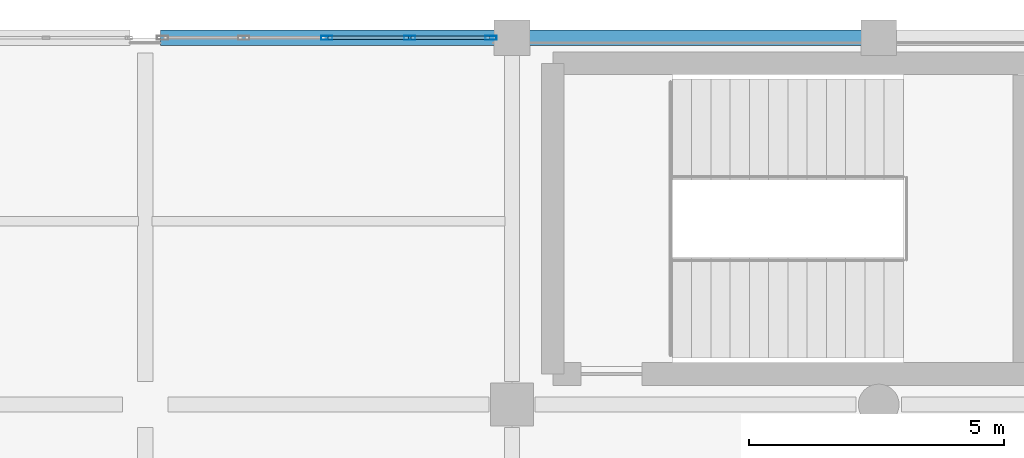
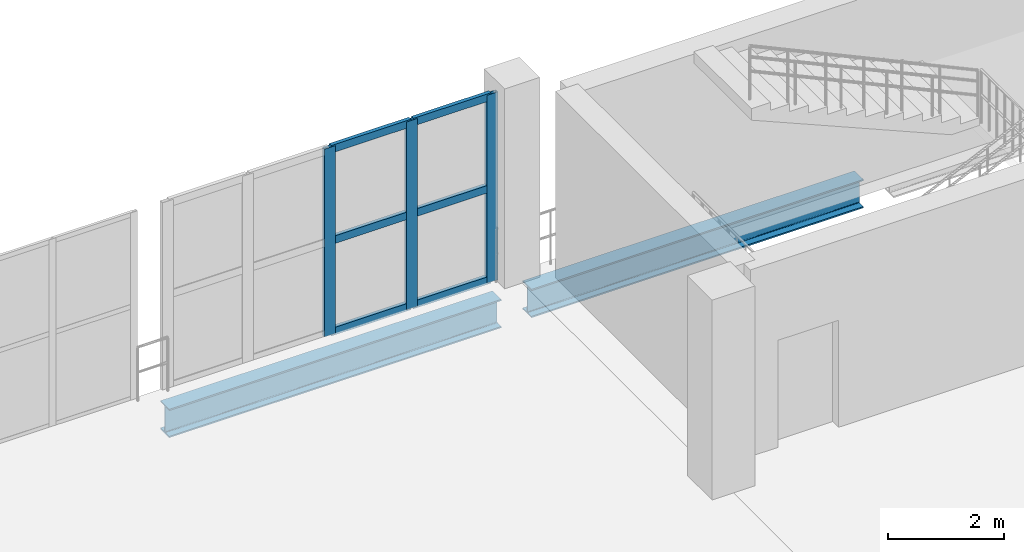
# One storey, part 111 of 153: 9 members, 2 beams, 1 element without a shape of its own.
"""IFC4 building model written with IfcOpenShell, lengths in metres."""

from ifc_helpers import new_model, si_unit, direction, frame, origin, origin_2d, place, context, subcontext, project, spatial, hollow_rectangle, i_section, extrude, material, material_profile, profile_set, type_object, element, aggregate, save


model = new_model("IFC4")

# Units and contexts
model_context = context("Model", 3, precision=1e-05, world=origin(), true_north=direction((0.0, 1.0)))
body_context = subcontext(model_context, "Body", "Model", "MODEL_VIEW")
ifc_project = project(units=[si_unit("LENGTHUNIT", "METRE"), si_unit("AREAUNIT", "SQUARE_METRE"), si_unit("VOLUMEUNIT", "CUBIC_METRE"), si_unit("PLANEANGLEUNIT", "RADIAN"), si_unit("MASSUNIT", "GRAM", prefix="KILO")], contexts=[model_context])

# Site, building, storey
site_placement = place(None, origin())
site = spatial("IfcSite", under=ifc_project, at=site_placement, CompositionType="ELEMENT")
building_placement = place(site_placement, origin())
building = spatial("IfcBuilding", under=site, at=building_placement, Name="Qandorah Velis Arena", CompositionType="ELEMENT")
storey_placement = place(building_placement, frame((0.0, 0.0, 5.39990234375)))
storey = spatial("IfcBuildingStorey", under=building, at=storey_placement, Name="L01", CompositionType="ELEMENT", Elevation=5.39990234375)

# Curtain wall, members
ifc_material_1 = material(Name="Solar-control low-E double glazing", Category="glass")
curtain_wall_type = type_object("IfcCurtainWallType", Name="ARC-CW-SYS09", PredefinedType="USERDEFINED", material=ifc_material_1)
curtain_wall_placement = place(storey_placement, origin())
curtain_wall = element("IfcCurtainWall", 1, at=curtain_wall_placement, inside=storey, type_object=curtain_wall_type, Name="Unitised curtain wall L01-081", ObjectType="UNITISED CURTAIN WALL", PredefinedType="USERDEFINED")
ifc_material_2 = material(Name="Champagne-bronze anodized aluminium 6063-T6", Category="aluminium")
ifc_material_profile_1 = material_profile(ifc_material_2, hollow_rectangle(XDim=0.074951171875, YDim=0.219970703125, WallThickness=0.00390625, at=origin_2d()), Name="ALU MULLION 75x220")
ifc_profile_set_1 = profile_set([ifc_material_profile_1], Name="Champagne-bronze anodized aluminium 6063-T6")
member_type_1 = type_object("IfcMemberType", Name="ARC-CWM-220", PredefinedType="MULLION", material=ifc_profile_set_1)
member_1_placement = place(storey_placement, frame((25.16259765625, 129.60009765625, -0.014892578125), z_axis=(0.0, 0.0, 1.0), x_axis=(0.0, 1.0, 0.0)))
member_1 = element("IfcMember", 2, at=member_1_placement, type_object=member_type_1, Name="CW09 mullion 3", PredefinedType="MULLION", context=body_context, shape_type="SweptSolid", body=[
    extrude(hollow_rectangle(XDim=0.074951171875, YDim=0.219970703125, WallThickness=0.00390625, at=origin_2d()), origin(), (0.0, 0.0, 1.0), 3.949951171875),
])
member_2_placement = place(storey_placement, frame((26.793701171875, 129.60009765625, -0.014892578125), z_axis=(0.0, 0.0, 1.0), x_axis=(0.0, 1.0, 0.0)))
member_2 = element("IfcMember", 3, at=member_2_placement, type_object=member_type_1, Name="CW09 mullion 4", PredefinedType="MULLION", context=body_context, shape_type="SweptSolid", body=[
    extrude(hollow_rectangle(XDim=0.074951171875, YDim=0.219970703125, WallThickness=0.00390625, at=origin_2d()), origin(), (0.0, 0.0, 1.0), 3.949951171875),
])
member_3_placement = place(storey_placement, frame((28.387451171875, 129.60009765625, -0.014892578125), z_axis=(0.0, 0.0, 1.0), x_axis=(0.0, 1.0, 0.0)))
member_3 = element("IfcMember", 4, at=member_3_placement, type_object=member_type_1, Name="CW09 mullion 5", PredefinedType="MULLION", context=body_context, shape_type="SweptSolid", body=[
    extrude(hollow_rectangle(XDim=0.074951171875, YDim=0.219970703125, WallThickness=0.00390625, at=origin_2d()), origin(), (0.0, 0.0, 1.0), 3.949951171875),
])
ifc_material_profile_2 = material_profile(ifc_material_2, hollow_rectangle(XDim=0.074951171875, YDim=0.159912109375, WallThickness=0.00341796875, at=origin_2d()), Name="ALU TRANSOM 75x160")
ifc_profile_set_2 = profile_set([ifc_material_profile_2], Name="Champagne-bronze anodized aluminium 6063-T6")
member_type_2 = type_object("IfcMemberType", Name="ARC-CWT-160", PredefinedType="USERDEFINED", material=ifc_profile_set_2)
member_4_placement = place(storey_placement, frame((25.18798828125, 129.60009765625, 0.03759765625), z_axis=(1.0, 0.0, 0.0), x_axis=(0.0, 1.0, 0.0)))
member_4 = element("IfcMember", 5, at=member_4_placement, type_object=member_type_2, Name="CW09 transom 3.1", ObjectType="TRANSOM", PredefinedType="USERDEFINED", context=body_context, shape_type="SweptSolid", body=[
    extrude(hollow_rectangle(XDim=0.074951171875, YDim=0.159912109375, WallThickness=0.00341796875, at=origin_2d()), origin(), (0.0, 0.0, 1.0), 1.580322265625),
])
member_5_placement = place(storey_placement, frame((25.18798828125, 129.60009765625, 1.960205078125), z_axis=(1.0, 0.0, 0.0), x_axis=(0.0, 1.0, 0.0)))
member_5 = element("IfcMember", 6, at=member_5_placement, type_object=member_type_2, Name="CW09 transom 3.2", ObjectType="TRANSOM", PredefinedType="USERDEFINED", context=body_context, shape_type="SweptSolid", body=[
    extrude(hollow_rectangle(XDim=0.074951171875, YDim=0.159912109375, WallThickness=0.00341796875, at=origin_2d()), origin(), (0.0, 0.0, 1.0), 1.580322265625),
])
member_6_placement = place(storey_placement, frame((25.18798828125, 129.60009765625, 3.882568359375), z_axis=(1.0, 0.0, 0.0), x_axis=(0.0, 1.0, 0.0)))
member_6 = element("IfcMember", 7, at=member_6_placement, type_object=member_type_2, Name="CW09 transom 3.3", ObjectType="TRANSOM", PredefinedType="USERDEFINED", context=body_context, shape_type="SweptSolid", body=[
    extrude(hollow_rectangle(XDim=0.074951171875, YDim=0.159912109375, WallThickness=0.00341796875, at=origin_2d()), origin(), (0.0, 0.0, 1.0), 1.580322265625),
])
member_7_placement = place(storey_placement, frame((26.8193359375, 129.60009765625, 0.03759765625), z_axis=(1.0, 0.0, 0.0), x_axis=(0.0, 1.0, 0.0)))
member_7 = element("IfcMember", 8, at=member_7_placement, type_object=member_type_2, Name="CW09 transom 4.1", ObjectType="TRANSOM", PredefinedType="USERDEFINED", context=body_context, shape_type="SweptSolid", body=[
    extrude(hollow_rectangle(XDim=0.074951171875, YDim=0.159912109375, WallThickness=0.00341796875, at=origin_2d()), origin(), (0.0, 0.0, 1.0), 1.542724609375),
])
member_8_placement = place(storey_placement, frame((26.8193359375, 129.60009765625, 1.960205078125), z_axis=(1.0, 0.0, 0.0), x_axis=(0.0, 1.0, 0.0)))
member_8 = element("IfcMember", 9, at=member_8_placement, type_object=member_type_2, Name="CW09 transom 4.2", ObjectType="TRANSOM", PredefinedType="USERDEFINED", context=body_context, shape_type="SweptSolid", body=[
    extrude(hollow_rectangle(XDim=0.074951171875, YDim=0.159912109375, WallThickness=0.00341796875, at=origin_2d()), origin(), (0.0, 0.0, 1.0), 1.542724609375),
])
member_9_placement = place(storey_placement, frame((26.8193359375, 129.60009765625, 3.882568359375), z_axis=(1.0, 0.0, 0.0), x_axis=(0.0, 1.0, 0.0)))
member_9 = element("IfcMember", 10, at=member_9_placement, type_object=member_type_2, Name="CW09 transom 4.3", ObjectType="TRANSOM", PredefinedType="USERDEFINED", context=body_context, shape_type="SweptSolid", body=[
    extrude(hollow_rectangle(XDim=0.074951171875, YDim=0.159912109375, WallThickness=0.00341796875, at=origin_2d()), origin(), (0.0, 0.0, 1.0), 1.542724609375),
])
aggregate(curtain_wall, [member_1, member_2, member_3, member_4, member_5, member_6, member_7, member_8, member_9])

# Beams
ifc_material_3 = material(Name="Steel S355", Category="steel")
ifc_material_profile_3 = material_profile(ifc_material_3, i_section(OverallWidth=0.300048828125, OverallDepth=0.60009765625, WebThickness=0.015380859375, FlangeThickness=0.030029296875, FilletRadius=0.027099609375, at=origin_2d()), Name="HEB 600")
ifc_profile_set_3 = profile_set([ifc_material_profile_3], Name="Steel S355")
beam_type = type_object("IfcBeamType", Name="STR-BM-HEB600", PredefinedType="BEAM", material=ifc_profile_set_3)
beam_1_placement = place(storey_placement, frame((21.89990234375, 129.60009765625, -0.659912109375), z_axis=(1.0, 0.0, 0.0), x_axis=(0.0, 1.0, 0.0)))
element("IfcBeam", 11, at=beam_1_placement, inside=storey, type_object=beam_type, Name="Primary floor girder L01 X-207", PredefinedType="BEAM", context=body_context, shape_type="SweptSolid", body=[
    extrude(i_section(OverallWidth=0.300048828125, OverallDepth=0.60009765625, WebThickness=0.015380859375, FlangeThickness=0.030029296875, FilletRadius=0.027099609375, at=origin_2d()), origin(), (0.0, 0.0, 1.0), 6.60009765625),
])
beam_2_placement = place(storey_placement, frame((29.10009765625, 129.60009765625, -0.659912109375), z_axis=(1.0, 0.0, 0.0), x_axis=(0.0, 1.0, 0.0)))
element("IfcBeam", 12, at=beam_2_placement, inside=storey, type_object=beam_type, Name="Primary floor girder L01 X-208", PredefinedType="BEAM", context=body_context, shape_type="SweptSolid", body=[
    extrude(i_section(OverallWidth=0.300048828125, OverallDepth=0.60009765625, WebThickness=0.015380859375, FlangeThickness=0.030029296875, FilletRadius=0.027099609375, at=origin_2d()), origin(), (0.0, 0.0, 1.0), 6.599853515625),
])

save(model, "model.ifc")
